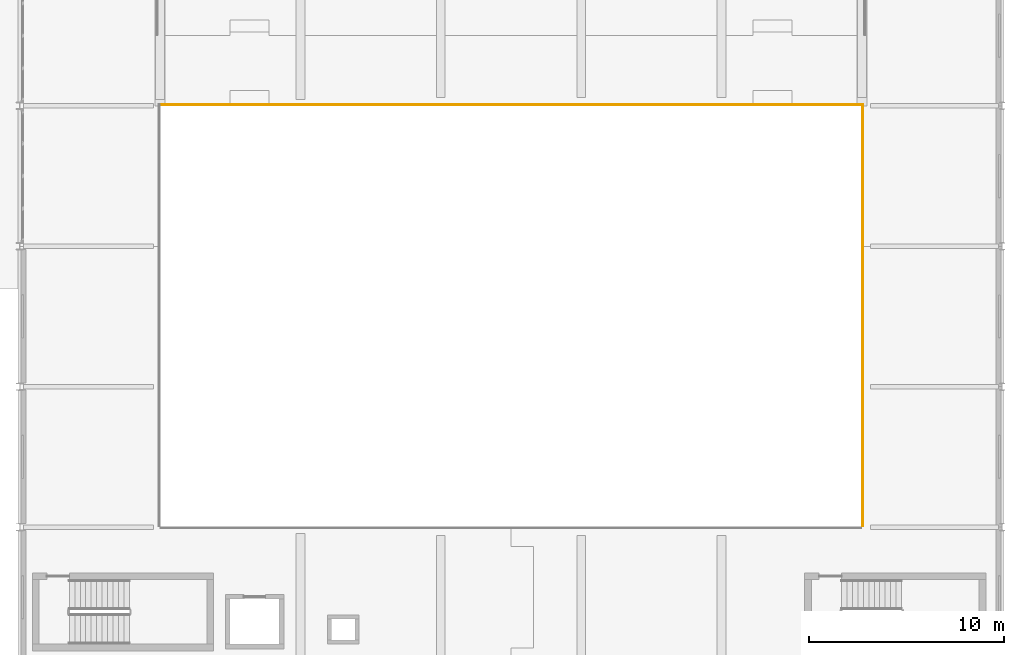
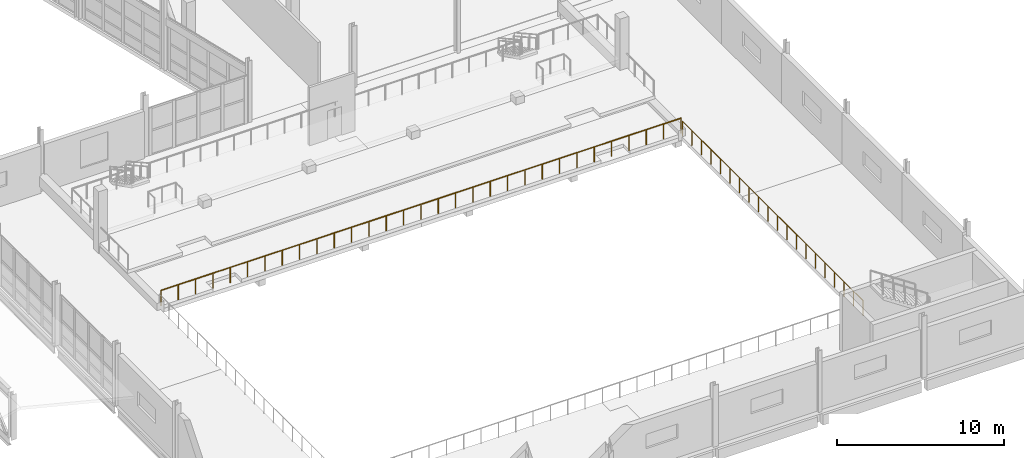
# One storey, part 120 of 123: 2 railings.
"""IFC4 building model written with IfcOpenShell, lengths in metres."""

from ifc_helpers import new_model, si_unit, direction, frame, origin, origin_2d, place, context, subcontext, project, spatial, circle, extrude, material, type_object, element, save


model = new_model("IFC4")

# Units and contexts
model_context = context("Model", 3, precision=1e-05, world=origin(), true_north=direction((0.0, 1.0)))
body_context = subcontext(model_context, "Body", "Model", "MODEL_VIEW")
ifc_project = project(units=[si_unit("LENGTHUNIT", "METRE"), si_unit("AREAUNIT", "SQUARE_METRE"), si_unit("VOLUMEUNIT", "CUBIC_METRE"), si_unit("PLANEANGLEUNIT", "RADIAN"), si_unit("MASSUNIT", "GRAM", prefix="KILO")], contexts=[model_context])

# Site, building, storey
site_placement = place(None, origin())
site = spatial("IfcSite", under=ifc_project, at=site_placement, CompositionType="ELEMENT")
building_placement = place(site_placement, origin())
building = spatial("IfcBuilding", under=site, at=building_placement, Name="Kalmorath City Hall", CompositionType="ELEMENT")
storey_placement = place(building_placement, frame((0.0, 0.0, 10.199951171875)))
storey = spatial("IfcBuildingStorey", under=building, at=storey_placement, Name="L02", CompositionType="ELEMENT", Elevation=10.199951171875)

# Railings
ifc_material = material(Name="Stainless steel and laminated glass", Category="steel")
railing_type = type_object("IfcRailingType", Name="Atrium and gallery crowd guardrail 1120", PredefinedType="GUARDRAIL", material=ifc_material)
railing_1_placement = place(storey_placement, frame((122.449951171875, 28.85009765625, 0.25)))
element("IfcRailing", 1, at=railing_1_placement, inside=storey, type_object=railing_type, Name="L02 indoor void guardrail #3", PredefinedType="GUARDRAIL", context=body_context, shape_type="SweptSolid", body=[
    extrude(circle(Radius=0.02392578125, at=origin_2d()), frame((0.0, 0.0, 1.09619140625), z_axis=(1.0, 0.0, 0.0), x_axis=(0.0, 1.0, 0.0)), (0.0, 0.0, 1.0), 35.900146484375),
    extrude(circle(Radius=0.02099609375, at=origin_2d()), origin(), (0.0, 0.0, 1.0), 1.072021484375),
    extrude(circle(Radius=0.02099609375, at=origin_2d()), frame((1.19677734375, 0.0, 0.0)), (0.0, 0.0, 1.0), 1.072021484375),
    extrude(circle(Radius=0.02099609375, at=origin_2d()), frame((2.393310546875, 0.0, 0.0)), (0.0, 0.0, 1.0), 1.072021484375),
    extrude(circle(Radius=0.02099609375, at=origin_2d()), frame((3.590087890625, 0.0, 0.0)), (0.0, 0.0, 1.0), 1.072021484375),
    extrude(circle(Radius=0.02099609375, at=origin_2d()), frame((4.78662109375, 0.0, 0.0)), (0.0, 0.0, 1.0), 1.072021484375),
    extrude(circle(Radius=0.02099609375, at=origin_2d()), frame((5.9833984375, 0.0, 0.0)), (0.0, 0.0, 1.0), 1.072021484375),
    extrude(circle(Radius=0.02099609375, at=origin_2d()), frame((7.179931640625, 0.0, 0.0)), (0.0, 0.0, 1.0), 1.072021484375),
    extrude(circle(Radius=0.02099609375, at=origin_2d()), frame((8.376708984375, 0.0, 0.0)), (0.0, 0.0, 1.0), 1.072021484375),
    extrude(circle(Radius=0.02099609375, at=origin_2d()), frame((9.573486328125, 0.0, 0.0)), (0.0, 0.0, 1.0), 1.072021484375),
    extrude(circle(Radius=0.02099609375, at=origin_2d()), frame((10.77001953125, 0.0, 0.0)), (0.0, 0.0, 1.0), 1.072021484375),
    extrude(circle(Radius=0.02099609375, at=origin_2d()), frame((11.966796875, 0.0, 0.0)), (0.0, 0.0, 1.0), 1.072021484375),
    extrude(circle(Radius=0.02099609375, at=origin_2d()), frame((13.163330078125, 0.0, 0.0)), (0.0, 0.0, 1.0), 1.072021484375),
    extrude(circle(Radius=0.02099609375, at=origin_2d()), frame((14.360107421875, 0.0, 0.0)), (0.0, 0.0, 1.0), 1.072021484375),
    extrude(circle(Radius=0.02099609375, at=origin_2d()), frame((15.556640625, 0.0, 0.0)), (0.0, 0.0, 1.0), 1.072021484375),
    extrude(circle(Radius=0.02099609375, at=origin_2d()), frame((16.75341796875, 0.0, 0.0)), (0.0, 0.0, 1.0), 1.072021484375),
    extrude(circle(Radius=0.02099609375, at=origin_2d()), frame((17.9501953125, 0.0, 0.0)), (0.0, 0.0, 1.0), 1.072021484375),
    extrude(circle(Radius=0.02099609375, at=origin_2d()), frame((19.146728515625, 0.0, 0.0)), (0.0, 0.0, 1.0), 1.072021484375),
    extrude(circle(Radius=0.02099609375, at=origin_2d()), frame((20.343505859375, 0.0, 0.0)), (0.0, 0.0, 1.0), 1.072021484375),
    extrude(circle(Radius=0.02099609375, at=origin_2d()), frame((21.5400390625, 0.0, 0.0)), (0.0, 0.0, 1.0), 1.072021484375),
    extrude(circle(Radius=0.02099609375, at=origin_2d()), frame((22.73681640625, 0.0, 0.0)), (0.0, 0.0, 1.0), 1.072021484375),
    extrude(circle(Radius=0.02099609375, at=origin_2d()), frame((23.933349609375, 0.0, 0.0)), (0.0, 0.0, 1.0), 1.072021484375),
    extrude(circle(Radius=0.02099609375, at=origin_2d()), frame((25.130126953125, 0.0, 0.0)), (0.0, 0.0, 1.0), 1.072021484375),
    extrude(circle(Radius=0.02099609375, at=origin_2d()), frame((26.32666015625, 0.0, 0.0)), (0.0, 0.0, 1.0), 1.072021484375),
    extrude(circle(Radius=0.02099609375, at=origin_2d()), frame((27.5234375, 0.0, 0.0)), (0.0, 0.0, 1.0), 1.072021484375),
    extrude(circle(Radius=0.02099609375, at=origin_2d()), frame((28.72021484375, 0.0, 0.0)), (0.0, 0.0, 1.0), 1.072021484375),
    extrude(circle(Radius=0.02099609375, at=origin_2d()), frame((29.916748046875, 0.0, 0.0)), (0.0, 0.0, 1.0), 1.072021484375),
    extrude(circle(Radius=0.02099609375, at=origin_2d()), frame((31.113525390625, 0.0, 0.0)), (0.0, 0.0, 1.0), 1.072021484375),
    extrude(circle(Radius=0.02099609375, at=origin_2d()), frame((32.31005859375, 0.0, 0.0)), (0.0, 0.0, 1.0), 1.072021484375),
    extrude(circle(Radius=0.02099609375, at=origin_2d()), frame((33.5068359375, 0.0, 0.0)), (0.0, 0.0, 1.0), 1.072021484375),
    extrude(circle(Radius=0.02099609375, at=origin_2d()), frame((34.703369140625, 0.0, 0.0)), (0.0, 0.0, 1.0), 1.072021484375),
    extrude(circle(Radius=0.02099609375, at=origin_2d()), frame((35.900146484375, 0.0, 0.0)), (0.0, 0.0, 1.0), 1.072021484375),
])
railing_2_placement = place(storey_placement, frame((158.449951171875, 7.25, 0.0)))
element("IfcRailing", 2, at=railing_2_placement, inside=storey, type_object=railing_type, Name="L02 indoor void guardrail #18", PredefinedType="GUARDRAIL", context=body_context, shape_type="SweptSolid", body=[
    extrude(circle(Radius=0.02392578125, at=origin_2d()), frame((0.0, 0.0, 1.09619140625), z_axis=(0.0, 1.0, 0.0), x_axis=(-1.0, 0.0, 0.0)), (0.0, 0.0, 1.0), 21.60009765625),
    extrude(circle(Radius=0.02099609375, at=origin_2d()), origin(), (0.0, 0.0, 1.0), 1.072021484375),
    extrude(circle(Radius=0.02099609375, at=origin_2d()), frame((0.0, 1.136962890625, 0.0)), (0.0, 0.0, 1.0), 1.072021484375),
    extrude(circle(Radius=0.02099609375, at=origin_2d()), frame((0.0, 2.273681640625, 0.0)), (0.0, 0.0, 1.0), 1.072021484375),
    extrude(circle(Radius=0.02099609375, at=origin_2d()), frame((0.0, 3.41064453125, 0.0)), (0.0, 0.0, 1.0), 1.072021484375),
    extrude(circle(Radius=0.02099609375, at=origin_2d()), frame((0.0, 4.54736328125, 0.0)), (0.0, 0.0, 1.0), 1.072021484375),
    extrude(circle(Radius=0.02099609375, at=origin_2d()), frame((0.0, 5.684326171875, 0.0)), (0.0, 0.0, 1.0), 1.072021484375),
    extrude(circle(Radius=0.02099609375, at=origin_2d()), frame((0.0, 6.821044921875, 0.0)), (0.0, 0.0, 1.0), 1.072021484375),
    extrude(circle(Radius=0.02099609375, at=origin_2d()), frame((0.0, 7.9580078125, 0.0)), (0.0, 0.0, 1.0), 1.072021484375),
    extrude(circle(Radius=0.02099609375, at=origin_2d()), frame((0.0, 9.0947265625, 0.0)), (0.0, 0.0, 1.0), 1.072021484375),
    extrude(circle(Radius=0.02099609375, at=origin_2d()), frame((0.0, 10.231689453125, 0.0)), (0.0, 0.0, 1.0), 1.072021484375),
    extrude(circle(Radius=0.02099609375, at=origin_2d()), frame((0.0, 11.368408203125, 0.0)), (0.0, 0.0, 1.0), 1.072021484375),
    extrude(circle(Radius=0.02099609375, at=origin_2d()), frame((0.0, 12.50537109375, 0.0)), (0.0, 0.0, 1.0), 1.072021484375),
    extrude(circle(Radius=0.02099609375, at=origin_2d()), frame((0.0, 13.64208984375, 0.0)), (0.0, 0.0, 1.0), 1.072021484375),
    extrude(circle(Radius=0.02099609375, at=origin_2d()), frame((0.0, 14.779052734375, 0.0)), (0.0, 0.0, 1.0), 1.072021484375),
    extrude(circle(Radius=0.02099609375, at=origin_2d()), frame((0.0, 15.915771484375, 0.0)), (0.0, 0.0, 1.0), 1.072021484375),
    extrude(circle(Radius=0.02099609375, at=origin_2d()), frame((0.0, 17.052734375, 0.0)), (0.0, 0.0, 1.0), 1.072021484375),
    extrude(circle(Radius=0.02099609375, at=origin_2d()), frame((0.0, 18.189453125, 0.0)), (0.0, 0.0, 1.0), 1.072021484375),
    extrude(circle(Radius=0.02099609375, at=origin_2d()), frame((0.0, 19.326416015625, 0.0)), (0.0, 0.0, 1.0), 1.072021484375),
    extrude(circle(Radius=0.02099609375, at=origin_2d()), frame((0.0, 20.463134765625, 0.0)), (0.0, 0.0, 1.0), 1.072021484375),
    extrude(circle(Radius=0.02099609375, at=origin_2d()), frame((0.0, 21.60009765625, 0.0)), (0.0, 0.0, 1.0), 1.072021484375),
])

save(model, "model.ifc")
